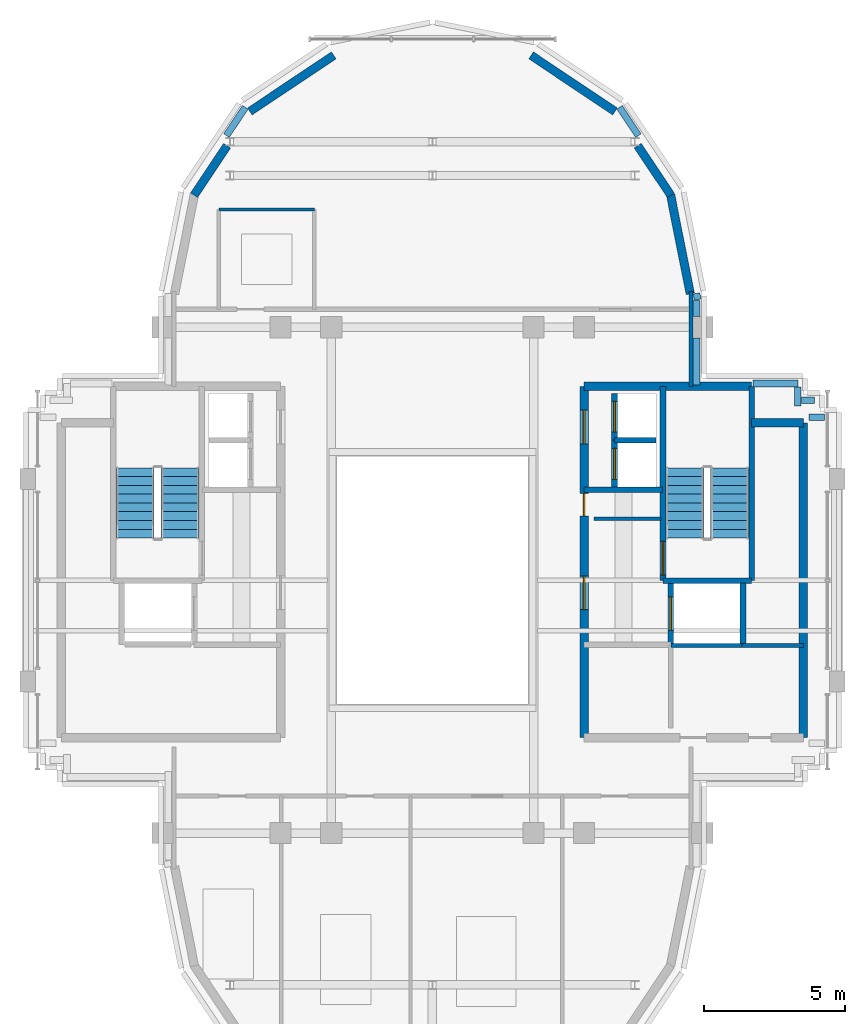
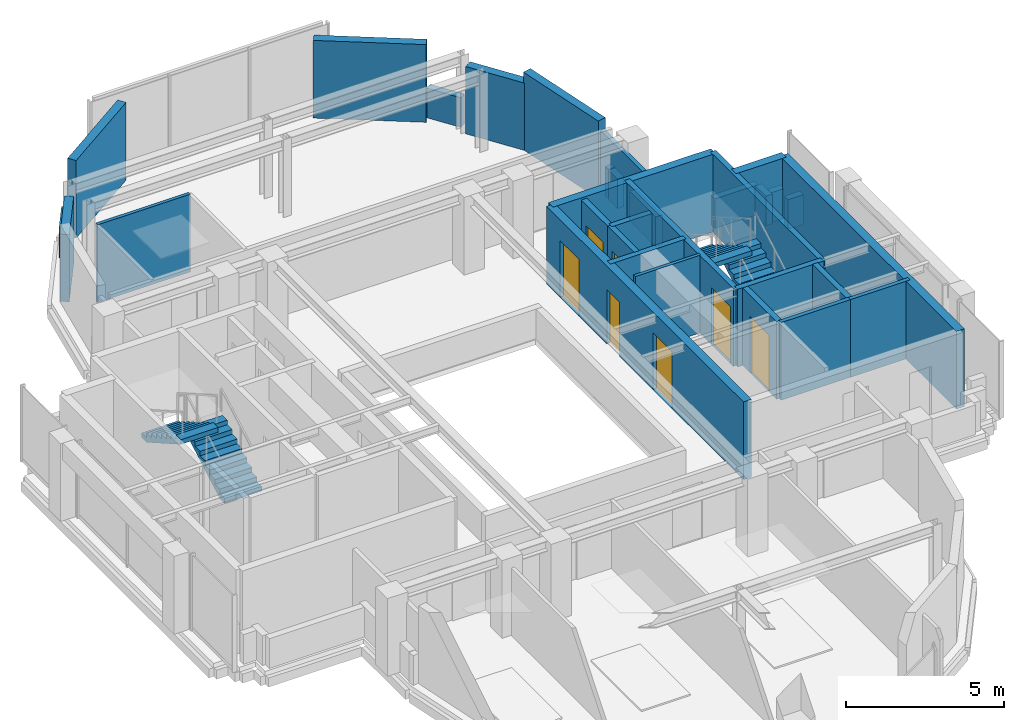
# One storey, part 8 of 10: 32 walls, 7 doors, 4 stair flights, 7 openings, 2 elements without a shape of their own.
"""IFC4 building model written with IfcOpenShell, lengths in metres."""

from ifc_helpers import new_model, si_unit, direction, frame, frame_2d, origin, place, context, subcontext, project, spatial, polyline, rectangle, outline, extrude, source, transform, mapped, material, layer, layer_set, type_object, element, fill, aggregate, save


model = new_model("IFC4")

# Units and contexts
model_context = context("Model", 3, precision=1e-05, world=origin(), true_north=direction((0.0, 1.0)))
body_context = subcontext(model_context, "Body", "Model", "MODEL_VIEW")
ifc_project = project(units=[si_unit("LENGTHUNIT", "METRE"), si_unit("AREAUNIT", "SQUARE_METRE"), si_unit("VOLUMEUNIT", "CUBIC_METRE"), si_unit("PLANEANGLEUNIT", "RADIAN"), si_unit("MASSUNIT", "GRAM", prefix="KILO")], contexts=[model_context])

# Site, building, storey
site_placement = place(None, origin())
site = spatial("IfcSite", under=ifc_project, at=site_placement, CompositionType="ELEMENT")
building_placement = place(site_placement, origin())
building = spatial("IfcBuilding", under=site, at=building_placement, Name="Keilestroom Media Tower", CompositionType="ELEMENT")
storey_placement = place(building_placement, frame((0.0, 0.0, 262.0)))
storey = spatial("IfcBuildingStorey", under=building, at=storey_placement, Name="L73", CompositionType="ELEMENT", Elevation=262.0)

# Walls
ifc_material_1 = material(Name="Precast concrete C40/50", Category="concrete")
ifc_layer_1 = layer(ifc_material_1, 0.300048828125)
ifc_layer_set_1 = layer_set([ifc_layer_1], Name="Precast concrete C40/50")
wall_type_1 = type_object("IfcWallType", Name="Exterior-Masonry-Spandrel-Wall-300", PredefinedType="SOLIDWALL", material=ifc_layer_set_1)
wall_1_placement = place(storey_placement, frame((9.1748046875, 10.185302734375, 0.0), z_axis=(0.0, 0.0, 1.0), x_axis=(-0.195114232679, 0.980780523974, 0.0)))
element("IfcWall", 1, at=wall_1_placement, inside=storey, type_object=wall_type_1, Name="L73 Lobe Facet Precast Frame Wall 01", PredefinedType="SOLIDWALL", context=body_context, shape_type="SweptSolid", body=[
    extrude(rectangle(XDim=3.608642578125, YDim=0.300048828125, at=frame_2d((1.80419921875, 0.0))), origin(), (0.0, 0.0, 1.0), 3.010009765625),
])
wall_2_placement = place(storey_placement, frame((8.48193359375, 13.697509765625, 0.0), z_axis=(0.0, 0.0, 1.0), x_axis=(-0.555604299396, 0.831446848868, 0.0)))
element("IfcWall", 2, at=wall_2_placement, inside=storey, type_object=wall_type_1, Name="L73 Lobe Facet Precast Frame Wall 02", PredefinedType="SOLIDWALL", context=body_context, shape_type="SweptSolid", body=[
    extrude(rectangle(XDim=2.117919921875, YDim=0.300048828125, at=frame_2d((1.05908203125, 0.0))), origin(), (0.0, 0.0, 1.0), 2.610107421875),
])
for number, where, z_axis, x_axis, name in (
    (3, (6.497802734375, 16.677001953125, 0.0), (0.0, 0.0, 1.0), (-0.831443568068, 0.555609208993, 0.0), "L73 Lobe Facet Precast Frame Wall 03"),
    (4, (-3.510009765625, 18.673583984375, 0.0), (0.0, 0.0, 1.0), (-0.831443568068, -0.555609208993, 0.0), "L73 Lobe Facet Precast Frame Wall 04"),
):
    element("IfcWall", number, at=place(storey_placement, frame(where, z_axis=z_axis, x_axis=x_axis)), inside=storey, type_object=wall_type_1, Name=name, PredefinedType="SOLIDWALL", context=body_context, shape_type="SweptSolid", body=[
        extrude(rectangle(XDim=3.593505859375, YDim=0.300048828125, at=frame_2d((1.796875, 0.0))), origin(), (0.0, 0.0, 1.0), 3.010009765625),
    ])
wall_3_placement = place(storey_placement, frame((-7.30517578125, 15.45849609375, 0.0), z_axis=(0.0, 0.0, 1.0), x_axis=(-0.555604299396, -0.831446848868, 0.0)))
element("IfcWall", 5, at=wall_3_placement, inside=storey, type_object=wall_type_1, Name="L73 Lobe Facet Precast Frame Wall 05", PredefinedType="SOLIDWALL", context=body_context, shape_type="SweptSolid", body=[
    extrude(rectangle(XDim=2.117919921875, YDim=0.300048828125, at=frame_2d((1.05908203125, 0.0))), origin(), (0.0, 0.0, 1.0), 2.610107421875),
])
ifc_material_2 = material(Name="Gypsum Plasterboard & Steel Stud", Category="steel")
ifc_layer_2 = layer(ifc_material_2, 0.1201171875)
ifc_layer_set_2 = layer_set([ifc_layer_2], Name="Gypsum Plasterboard & Steel Stud")
wall_type_2 = type_object("IfcWallType", Name="Interior-Partition-Wall-120", PredefinedType="PARTITIONING", material=ifc_layer_set_2)
wall_4_placement = place(storey_placement, frame((5.75, 2.179931640625, 0.0), z_axis=(0.0, 0.0, 1.0), x_axis=(1.0, 0.0, 0.0)))
element("IfcWall", 6, at=wall_4_placement, inside=storey, type_object=wall_type_2, Name="L73 Interior Wall WP-L73-CIE-S", PredefinedType="PARTITIONING", context=body_context, shape_type="SweptSolid", body=[
    extrude(rectangle(XDim=2.389892578125, YDim=0.1201171875, at=frame_2d((1.19482421875, 0.0))), origin(), (0.0, 0.0, 1.0), 3.010009765625),
])
wall_5_placement = place(storey_placement, frame((-7.60009765625, 13.18994140625, 0.0), z_axis=(0.0, 0.0, 1.0), x_axis=(1.0, 0.0, 0.0)))
element("IfcWall", 7, at=wall_5_placement, inside=storey, type_object=wall_type_2, Name="L73 Interior Wall WP-L73-NL-WC-N", PredefinedType="PARTITIONING", context=body_context, shape_type="SweptSolid", body=[
    extrude(rectangle(XDim=3.400146484375, YDim=0.1201171875, at=frame_2d((1.7001953125, 0.0))), origin(), (0.0, 0.0, 1.0), 3.010009765625),
])
ifc_layer_3 = layer(ifc_material_2, 0.14990234375)
ifc_layer_set_3 = layer_set([ifc_layer_3], Name="Gypsum Plasterboard & Steel Stud")
wall_type_3 = type_object("IfcWallType", Name="Interior-Partition-Wall-150", PredefinedType="PARTITIONING", material=ifc_layer_set_3)
wall_6_placement = place(storey_placement, frame((11.02001953125, -2.320068359375, 0.0), z_axis=(0.0, 0.0, 1.0), x_axis=(1.0, 0.0, 0.0)))
element("IfcWall", 8, at=wall_6_placement, inside=storey, type_object=wall_type_3, Name="L73 Interior Wall WP-L73-RECLE-N", PredefinedType="PARTITIONING", context=body_context, shape_type="SweptSolid", body=[
    extrude(rectangle(XDim=2.179931640625, YDim=0.14990234375, at=frame_2d((1.08984375, 0.0))), origin(), (0.0, 0.0, 1.0), 3.010009765625),
])
wall_7_placement = place(storey_placement, frame((8.47998046875, -2.320068359375, 0.0), z_axis=(0.0, 0.0, 1.0), x_axis=(1.0, 0.0, 0.0)))
element("IfcWall", 9, at=wall_7_placement, inside=storey, type_object=wall_type_3, Name="L73 Interior Wall WP-L73-RECME-N", PredefinedType="PARTITIONING", context=body_context, shape_type="SweptSolid", body=[
    extrude(rectangle(XDim=2.56005859375, YDim=0.14990234375, at=frame_2d((1.280029296875, 0.0))), origin(), (0.0, 0.0, 1.0), 3.010009765625),
])
wall_8_placement = place(storey_placement, frame((9.199951171875, 6.89990234375, 0.0), z_axis=(0.0, 0.0, 1.0), x_axis=(0.0, 1.0, 0.0)))
element("IfcWall", 10, at=wall_8_placement, inside=storey, type_object=wall_type_3, Name="L73 Interior Wall WP-L73-NL-CHKE", PredefinedType="PARTITIONING", context=body_context, shape_type="SweptSolid", body=[
    extrude(rectangle(XDim=3.380126953125, YDim=0.14990234375, at=frame_2d((1.68994140625, 0.0))), origin(), (0.0, 0.0, 1.0), 2.610107421875),
])
ifc_material_3 = material(Name="Concrete C50/60", Category="concrete")
ifc_layer_4 = layer(ifc_material_3, 0.300048828125)
ifc_layer_set_4 = layer_set([ifc_layer_4], Name="Concrete C50/60")
wall_type_4 = type_object("IfcWallType", Name="Reinforced-Concrete-Core-Shear-Wall-300", PredefinedType="SHEAR", material=ifc_layer_set_4)
wall_9_placement = place(storey_placement, frame((13.199951171875, -5.60009765625, 0.0), z_axis=(0.0, 0.0, 1.0), x_axis=(0.0, 1.0, 0.0)))
element("IfcWall", 11, at=wall_9_placement, inside=storey, type_object=wall_type_4, Name="L73 Core Shear Wall WL-L73-CORE-E-OUT", PredefinedType="SHEAR", context=body_context, shape_type="SweptSolid", body=[
    extrude(rectangle(XDim=11.2001953125, YDim=0.300048828125, at=frame_2d((5.60009765625, 0.0))), origin(), (0.0, 0.0, 1.0), 3.010009765625),
])

# Wall, openings, doors
wall_10_placement = place(storey_placement, frame((5.39990234375, -5.60009765625, 0.0), z_axis=(0.0, 0.0, 1.0), x_axis=(0.0, 1.0, 0.0)))
wall_10 = element("IfcWall", 12, at=wall_10_placement, inside=storey, type_object=wall_type_4, Name="L73 Core Shear Wall WL-L73-CORE-E-IN", PredefinedType="SHEAR", context=body_context, shape_type="SweptSolid", body=[
    extrude(rectangle(XDim=12.5, YDim=0.300048828125, at=frame_2d((6.25, 0.0))), origin(), (0.0, 0.0, 1.0), 3.010009765625),
])
opening_1_placement = place(wall_10_placement, frame((4.550048828125, 0.0, 0.0)))
opening_1 = element("IfcOpeningElement", 13, at=opening_1_placement, cuts=wall_10, Name="Opening DI-02", PredefinedType="OPENING", context=body_context, shape_type="SweptSolid", body=[
    extrude(rectangle(XDim=1.199951171875, YDim=2.199951171875, at=frame_2d((0.60009765625, 1.10009765625))), frame((0.0, 0.16015625, 0.0), z_axis=(0.0, -1.0, 0.0), x_axis=(1.0, 0.0, 0.0)), (0.0, 0.0, 1.0), 0.320068359375),
])
opening_2_placement = place(wall_10_placement, frame((10.449951171875, 0.0, 0.0)))
opening_2 = element("IfcOpeningElement", 14, at=opening_2_placement, cuts=wall_10, Name="Opening DI-02", PredefinedType="OPENING", context=body_context, shape_type="SweptSolid", body=[
    extrude(rectangle(XDim=1.199951171875, YDim=2.199951171875, at=frame_2d((0.60009765625, 1.10009765625))), frame((0.0, 0.16015625, 0.0), z_axis=(0.0, -1.0, 0.0), x_axis=(1.0, 0.0, 0.0)), (0.0, 0.0, 1.0), 0.320068359375),
])
opening_3_placement = place(wall_10_placement, frame((7.8798828125, 0.0, 0.0)))
opening_3 = element("IfcOpeningElement", 15, at=opening_3_placement, cuts=wall_10, Name="Opening DI-06", PredefinedType="OPENING", context=body_context, shape_type="SweptSolid", body=[
    extrude(rectangle(XDim=0.800048828125, YDim=2.10009765625, at=frame_2d((0.39990234375, 1.050048828125))), frame((0.0, 0.16015625, 0.0), z_axis=(0.0, -1.0, 0.0), x_axis=(1.0, 0.0, 0.0)), (0.0, 0.0, 1.0), 0.320068359375),
])
ifc_material_4 = material(Name="Powder-Coated Steel Fire Leaf", Category="steel")
door_type_1 = type_object("IfcDoorType", Name="Interior-Compartment-Fire-Door-DI-02", OperationType="NOTDEFINED", PredefinedType="DOOR", material=ifc_material_4)
shared_shape_1 = source(origin(), body_context, "Body", "SweptSolid", [
    extrude(rectangle(XDim=1.199951171875, YDim=2.199951171875, at=frame_2d((0.60009765625, 1.10009765625))), frame((0.0, 0.02490234375, 0.0), z_axis=(0.0, -1.0, 0.0), x_axis=(1.0, 0.0, 0.0)), (0.0, 0.0, 1.0), 0.050048828125),
])
door_1_placement = place(opening_1_placement, origin())
door_1 = element("IfcDoor", 16, at=door_1_placement, inside=storey, type_object=door_type_1, Name="L73 E Firefighting Lobby Door", OperationType="SINGLE_SWING_LEFT", OverallHeight=2.199951171875, OverallWidth=1.199951171875, PredefinedType="DOOR", context=body_context, shape_type="MappedRepresentation", body=[
    mapped(shared_shape_1, transform((0.0, 0.0, 0.0), x_axis=(1.0, 0.0, 0.0), y_axis=(0.0, 1.0, 0.0), z_axis=(0.0, 0.0, 1.0), scale=1.0)),
])
fill(opening_1, door_1)
door_2_placement = place(opening_2_placement, origin())
door_2 = element("IfcDoor", 17, at=door_2_placement, inside=storey, type_object=door_type_1, Name="L73 E High-Rise Lift Lobby Door", OperationType="SINGLE_SWING_RIGHT", OverallHeight=2.199951171875, OverallWidth=1.199951171875, PredefinedType="DOOR", context=body_context, shape_type="MappedRepresentation", body=[
    mapped(shared_shape_1, transform((0.0, 0.0, 0.0), x_axis=(1.0, 0.0, 0.0), y_axis=(0.0, 1.0, 0.0), z_axis=(0.0, 0.0, 1.0), scale=1.0)),
])
fill(opening_2, door_2)
ifc_material_5 = material(Name="Powder-Coated Steel Service Leaf", Category="steel")
door_type_2 = type_object("IfcDoorType", Name="Interior-Riser-Access-Door-DI-06", OperationType="NOTDEFINED", PredefinedType="DOOR", material=ifc_material_5)
shared_shape_2 = source(origin(), body_context, "Body", "SweptSolid", [
    extrude(rectangle(XDim=0.800048828125, YDim=2.10009765625, at=frame_2d((0.39990234375, 1.050048828125))), frame((0.0, 0.02490234375, 0.0), z_axis=(0.0, -1.0, 0.0), x_axis=(1.0, 0.0, 0.0)), (0.0, 0.0, 1.0), 0.050048828125),
])
door_3_placement = place(opening_3_placement, origin())
door_3 = element("IfcDoor", 18, at=door_3_placement, inside=storey, type_object=door_type_2, Name="L73 East Core Closet Door", OperationType="SINGLE_SWING_RIGHT", OverallHeight=2.10009765625, OverallWidth=0.800048828125, PredefinedType="DOOR", context=body_context, shape_type="MappedRepresentation", body=[
    mapped(shared_shape_2, transform((0.0, 0.0, 0.0), x_axis=(1.0, 0.0, 0.0), y_axis=(0.0, 1.0, 0.0), z_axis=(0.0, 0.0, 1.0), scale=1.0)),
])
fill(opening_3, door_3)

# Walls
wall_11_placement = place(storey_placement, frame((5.39990234375, 6.89990234375, 0.0), z_axis=(0.0, 0.0, 1.0), x_axis=(1.0, 0.0, 0.0)))
element("IfcWall", 19, at=wall_11_placement, inside=storey, type_object=wall_type_4, Name="L73 Core Shear Wall WL-L73-CORE-E-N", PredefinedType="SHEAR", context=body_context, shape_type="SweptSolid", body=[
    extrude(rectangle(XDim=5.9560546875, YDim=0.300048828125, at=frame_2d((2.97802734375, 0.0))), origin(), (0.0, 0.0, 1.0), 3.010009765625),
])
wall_12_placement = place(storey_placement, frame((11.35595703125, 5.60009765625, 0.0), z_axis=(0.0, 0.0, 1.0), x_axis=(1.0, 0.0, 0.0)))
element("IfcWall", 20, at=wall_12_placement, inside=storey, type_object=wall_type_4, Name="L73 Core Shear Wall WL-L73-CNE-N", PredefinedType="SHEAR", context=body_context, shape_type="SweptSolid", body=[
    extrude(rectangle(XDim=1.843994140625, YDim=0.300048828125, at=frame_2d((0.921875, 0.0))), origin(), (0.0, 0.0, 1.0), 3.010009765625),
])
ifc_layer_5 = layer(ifc_material_3, 0.199951171875)
ifc_layer_set_5 = layer_set([ifc_layer_5], Name="Concrete C50/60")
wall_type_5 = type_object("IfcWallType", Name="Reinforced-Concrete-Shaft-Wall-200", PredefinedType="SOLIDWALL", material=ifc_layer_set_5)
wall_13_placement = place(storey_placement, frame((5.39990234375, 3.219970703125, 0.0), z_axis=(0.0, 0.0, 1.0), x_axis=(1.0, 0.0, 0.0)))
element("IfcWall", 21, at=wall_13_placement, inside=storey, type_object=wall_type_5, Name="L73 Core Shear Wall WL-L73-CORE-E-FFN", PredefinedType="SOLIDWALL", context=body_context, shape_type="SweptSolid", body=[
    extrude(rectangle(XDim=2.780029296875, YDim=0.199951171875, at=frame_2d((1.39013671875, 0.0))), origin(), (0.0, 0.0, 1.0), 3.010009765625),
])

# Wall, opening, door
wall_14_placement = place(storey_placement, frame((8.2041015625, -0.01611328125, 0.0), z_axis=(0.0, 0.0, 1.0), x_axis=(0.0, 1.0, 0.0)))
wall_14 = element("IfcWall", 22, at=wall_14_placement, inside=storey, type_object=wall_type_5, Name="L73 Core Shear Wall WL-L73-STW-E-NEAR", PredefinedType="SOLIDWALL", context=body_context, shape_type="SweptSolid", body=[
    extrude(rectangle(XDim=6.916015625, YDim=0.199951171875, at=frame_2d((3.4580078125, 0.0))), origin(), (0.0, 0.0, 1.0), 3.010009765625),
])
opening_4_placement = place(wall_14_placement, frame((0.199951171875, 0.0, 0.0)))
opening_4 = element("IfcOpeningElement", 23, at=opening_4_placement, cuts=wall_14, Name="Opening DI-01S", PredefinedType="OPENING", context=body_context, shape_type="SweptSolid", body=[
    extrude(rectangle(XDim=1.199951171875, YDim=2.199951171875, at=frame_2d((0.60009765625, 1.10009765625))), frame((0.0, 0.10986328125, 0.0), z_axis=(0.0, -1.0, 0.0), x_axis=(1.0, 0.0, 0.0)), (0.0, 0.0, 1.0), 0.219970703125),
])
door_type_3 = type_object("IfcDoorType", Name="Interior-Stair-And-Core-Fire-Door-DI-01", OperationType="NOTDEFINED", PredefinedType="DOOR", material=ifc_material_4)
door_4_placement = place(opening_4_placement, origin())
door_4 = element("IfcDoor", 24, at=door_4_placement, inside=storey, type_object=door_type_3, Name="L73 Escape Stair ST-2 Fire Door", OperationType="SINGLE_SWING_RIGHT", OverallHeight=2.199951171875, OverallWidth=1.199951171875, PredefinedType="DOOR", context=body_context, shape_type="MappedRepresentation", body=[
    mapped(shared_shape_1, transform((0.0, 0.0, 0.0), x_axis=(1.0, 0.0, 0.0), y_axis=(0.0, 1.0, 0.0), z_axis=(0.0, 0.0, 1.0), scale=1.0)),
])
fill(opening_4, door_4)

# Walls
wall_15_placement = place(storey_placement, frame((11.35595703125, -0.01611328125, 0.0), z_axis=(0.0, 0.0, 1.0), x_axis=(0.0, 1.0, 0.0)))
element("IfcWall", 25, at=wall_15_placement, inside=storey, type_object=wall_type_5, Name="L73 Core Shear Wall WL-L73-STW-E-FAR", PredefinedType="SOLIDWALL", context=body_context, shape_type="SweptSolid", body=[
    extrude(rectangle(XDim=6.916015625, YDim=0.199951171875, at=frame_2d((3.4580078125, 0.0))), origin(), (0.0, 0.0, 1.0), 3.010009765625),
])
wall_16_placement = place(storey_placement, frame((8.2041015625, -0.01611328125, 0.0), z_axis=(0.0, 0.0, 1.0), x_axis=(1.0, 0.0, 0.0)))
element("IfcWall", 26, at=wall_16_placement, inside=storey, type_object=wall_type_5, Name="L73 Core Shear Wall WL-L73-STW-E-S", PredefinedType="SOLIDWALL", context=body_context, shape_type="SweptSolid", body=[
    extrude(rectangle(XDim=3.15185546875, YDim=0.199951171875, at=frame_2d((1.575927734375, 0.0))), origin(), (0.0, 0.0, 1.0), 3.010009765625),
])

# Wall, opening, door
wall_17_placement = place(storey_placement, frame((8.47998046875, -2.280029296875, 0.0), z_axis=(0.0, 0.0, 1.0), x_axis=(0.0, 1.0, 0.0)))
wall_17 = element("IfcWall", 27, at=wall_17_placement, inside=storey, type_object=wall_type_5, Name="L73 Core Shear Wall WL-L73-LSH-FFL-2-W", PredefinedType="SOLIDWALL", context=body_context, shape_type="SweptSolid", body=[
    extrude(rectangle(XDim=2.179931640625, YDim=0.199951171875, at=frame_2d((1.08984375, 0.0))), origin(), (0.0, 0.0, 1.0), 3.010009765625),
])
opening_5_placement = place(wall_17_placement, frame((0.489990234375, 0.0, 0.0)))
opening_5 = element("IfcOpeningElement", 28, at=opening_5_placement, cuts=wall_17, Name="Opening LD-02", PredefinedType="OPENING", context=body_context, shape_type="SweptSolid", body=[
    extrude(rectangle(XDim=1.199951171875, YDim=2.199951171875, at=frame_2d((0.60009765625, 1.10009765625))), frame((0.0, 0.10986328125, 0.0), z_axis=(0.0, -1.0, 0.0), x_axis=(1.0, 0.0, 0.0)), (0.0, 0.0, 1.0), 0.219970703125),
])
ifc_material_6 = material(Name="Brushed Stainless Steel Sliding Leaf", Category="steel")
door_type_4 = type_object("IfcDoorType", Name="Lift-Landing-Sliding-Door-LD-02", OperationType="SLIDING_TO_RIGHT", PredefinedType="DOOR", material=ifc_material_6)
door_5_placement = place(opening_5_placement, origin())
door_5 = element("IfcDoor", 29, at=door_5_placement, inside=storey, type_object=door_type_4, Name="L73 Lift FFL-2 Landing Sliding Door", OperationType="SLIDING_TO_RIGHT", OverallHeight=2.199951171875, OverallWidth=1.199951171875, PredefinedType="DOOR", context=body_context, shape_type="MappedRepresentation", body=[
    mapped(shared_shape_1, transform((0.0, 0.0, 0.0), x_axis=(1.0, 0.0, 0.0), y_axis=(0.0, 1.0, 0.0), z_axis=(0.0, 0.0, 1.0), scale=1.0)),
])
fill(opening_5, door_5)

# Wall
wall_18_placement = place(storey_placement, frame((11.050048828125, -2.280029296875, 0.0), z_axis=(0.0, 0.0, 1.0), x_axis=(0.0, 1.0, 0.0)))
element("IfcWall", 30, at=wall_18_placement, inside=storey, type_object=wall_type_5, Name="L73 Core Shear Wall WL-L73-LSH-FFL-2-E", PredefinedType="SOLIDWALL", context=body_context, shape_type="SweptSolid", body=[
    extrude(rectangle(XDim=2.179931640625, YDim=0.199951171875, at=frame_2d((1.08984375, 0.0))), origin(), (0.0, 0.0, 1.0), 3.010009765625),
])

# Wall, opening, door
wall_19_placement = place(storey_placement, frame((6.47998046875, 3.300048828125, 0.0), z_axis=(0.0, 0.0, 1.0), x_axis=(0.0, 1.0, 0.0)))
wall_19 = element("IfcWall", 31, at=wall_19_placement, inside=storey, type_object=wall_type_5, Name="L73 Core Shear Wall WL-L73-LSH-PL-H3-W", PredefinedType="SOLIDWALL", context=body_context, shape_type="SweptSolid", body=[
    extrude(rectangle(XDim=1.679931640625, YDim=0.199951171875, at=frame_2d((0.83984375, 0.0))), origin(), (0.0, 0.0, 1.0), 3.010009765625),
])
opening_6_placement = place(wall_19_placement, frame((0.2900390625, 0.0, 0.0)))
opening_6 = element("IfcOpeningElement", 32, at=opening_6_placement, cuts=wall_19, Name="Opening LD-01", PredefinedType="OPENING", context=body_context, shape_type="SweptSolid", body=[
    extrude(rectangle(XDim=1.10009765625, YDim=2.199951171875, at=frame_2d((0.550048828125, 1.10009765625))), frame((0.0, 0.10986328125, 0.0), z_axis=(0.0, -1.0, 0.0), x_axis=(1.0, 0.0, 0.0)), (0.0, 0.0, 1.0), 0.219970703125),
])
door_type_5 = type_object("IfcDoorType", Name="Lift-Landing-Sliding-Door-LD-01", OperationType="SLIDING_TO_LEFT", PredefinedType="DOOR", material=ifc_material_6)
shared_shape_3 = source(origin(), body_context, "Body", "SweptSolid", [
    extrude(rectangle(XDim=1.10009765625, YDim=2.199951171875, at=frame_2d((0.550048828125, 1.10009765625))), frame((0.0, 0.02490234375, 0.0), z_axis=(0.0, -1.0, 0.0), x_axis=(1.0, 0.0, 0.0)), (0.0, 0.0, 1.0), 0.050048828125),
])
door_6_placement = place(opening_6_placement, origin())
door_6 = element("IfcDoor", 33, at=door_6_placement, inside=storey, type_object=door_type_5, Name="L73 Lift PL-H3 Landing Sliding Door", OperationType="SLIDING_TO_LEFT", OverallHeight=2.199951171875, OverallWidth=1.10009765625, PredefinedType="DOOR", context=body_context, shape_type="MappedRepresentation", body=[
    mapped(shared_shape_3, transform((0.0, 0.0, 0.0), x_axis=(1.0, 0.0, 0.0), y_axis=(0.0, 1.0, 0.0), z_axis=(0.0, 0.0, 1.0), scale=1.0)),
])
fill(opening_6, door_6)

# Wall
wall_20_placement = place(storey_placement, frame((6.47998046875, 4.97998046875, 0.0), z_axis=(0.0, 0.0, 1.0), x_axis=(1.0, 0.0, 0.0)))
element("IfcWall", 34, at=wall_20_placement, inside=storey, type_object=wall_type_5, Name="L73 Core Shear Wall WL-L73-LSH-PL-H3-N", PredefinedType="SOLIDWALL", context=body_context, shape_type="SweptSolid", body=[
    extrude(rectangle(XDim=1.469970703125, YDim=0.199951171875, at=frame_2d((0.73486328125, 0.0))), origin(), (0.0, 0.0, 1.0), 3.010009765625),
])

# Wall, opening, door
wall_21_placement = place(storey_placement, frame((6.47998046875, 4.97998046875, 0.0), z_axis=(0.0, 0.0, 1.0), x_axis=(0.0, 1.0, 0.0)))
wall_21 = element("IfcWall", 35, at=wall_21_placement, inside=storey, type_object=wall_type_5, Name="L73 Core Shear Wall WL-L73-LSH-PL-H4-W", PredefinedType="SOLIDWALL", context=body_context, shape_type="SweptSolid", body=[
    extrude(rectangle(XDim=1.669921875, YDim=0.199951171875, at=frame_2d((0.8349609375, 0.0))), origin(), (0.0, 0.0, 1.0), 3.010009765625),
])
opening_7_placement = place(wall_21_placement, frame((0.284912109375, 0.0, 0.0)))
opening_7 = element("IfcOpeningElement", 36, at=opening_7_placement, cuts=wall_21, Name="Opening LD-01", PredefinedType="OPENING", context=body_context, shape_type="SweptSolid", body=[
    extrude(rectangle(XDim=1.10009765625, YDim=2.199951171875, at=frame_2d((0.550048828125, 1.10009765625))), frame((0.0, 0.10986328125, 0.0), z_axis=(0.0, -1.0, 0.0), x_axis=(1.0, 0.0, 0.0)), (0.0, 0.0, 1.0), 0.219970703125),
])
door_7_placement = place(opening_7_placement, origin())
door_7 = element("IfcDoor", 37, at=door_7_placement, inside=storey, type_object=door_type_5, Name="L73 Lift PL-H4 Landing Sliding Door", OperationType="SLIDING_TO_LEFT", OverallHeight=2.199951171875, OverallWidth=1.10009765625, PredefinedType="DOOR", context=body_context, shape_type="MappedRepresentation", body=[
    mapped(shared_shape_3, transform((0.0, 0.0, 0.0), x_axis=(1.0, 0.0, 0.0), y_axis=(0.0, 1.0, 0.0), z_axis=(0.0, 0.0, 1.0), scale=1.0)),
])
fill(opening_7, door_7)

# Walls
ifc_layer_6 = layer(ifc_material_1, 0.239990234375)
ifc_layer_set_6 = layer_set([ifc_layer_6], Name="Precast concrete C40/50")
wall_type_6 = type_object("IfcWallType", Name="Roof-And-Terrace-Parapet-Wall-240", PredefinedType="PARAPET", material=ifc_layer_set_6)
for number, where, z_axis, x_axis, name in (
    (38, (-7.328125, 15.8203125, 0.0), (0.0, 0.0, 1.0), (0.555585388542, 0.831459485506, 0.0), "L73 Perimeter Edge Parapet Wall 20"),
    (39, (6.656494140625, 16.825439453125, 0.0), (0.0, 0.0, 1.0), (0.555585388542, -0.831459485506, 0.0), "L73 Perimeter Edge Parapet Wall 21"),
):
    element("IfcWall", number, at=place(storey_placement, frame(where, z_axis=z_axis, x_axis=x_axis)), inside=storey, type_object=wall_type_6, Name=name, PredefinedType="PARAPET", context=body_context, shape_type="SweptSolid", body=[
        extrude(rectangle(XDim=1.208984375, YDim=0.239990234375, at=frame_2d((0.6044921875, 0.0))), origin(), (0.0, 0.0, 1.0), 1.14990234375),
    ])
wall_22_placement = place(storey_placement, frame((9.395263671875, 10.2041015625, 0.0), z_axis=(0.0, 0.0, 1.0), x_axis=(0.194859894132, -0.980831087221, 0.0)))
element("IfcWall", 40, at=wall_22_placement, inside=storey, type_object=wall_type_6, Name="L73 Perimeter Edge Parapet Wall 22", PredefinedType="PARAPET", context=body_context, shape_type="SweptSolid", body=[
    extrude(rectangle(XDim=0.224365234375, YDim=0.239990234375, at=frame_2d((0.1123046875, 0.0))), origin(), (0.0, 0.0, 1.0), 1.14990234375),
])
wall_23_placement = place(storey_placement, frame((9.39990234375, 9.957763671875, 0.0), z_axis=(0.0, 0.0, 1.0), x_axis=(0.0, -1.0, 0.0)))
element("IfcWall", 41, at=wall_23_placement, inside=storey, type_object=wall_type_6, Name="L73 Perimeter Edge Parapet Wall 23", PredefinedType="PARAPET", context=body_context, shape_type="SweptSolid", body=[
    extrude(rectangle(XDim=0.579833984375, YDim=0.239990234375, at=frame_2d((0.2900390625, 0.0))), origin(), (0.0, 0.0, 1.0), 1.14990234375),
])
wall_24_placement = place(storey_placement, frame((9.39990234375, 8.6220703125, 0.0), z_axis=(0.0, 0.0, 1.0), x_axis=(0.0, -1.0, 0.0)))
element("IfcWall", 42, at=wall_24_placement, inside=storey, type_object=wall_type_6, Name="L73 Perimeter Edge Parapet Wall 24", PredefinedType="PARAPET", context=body_context, shape_type="SweptSolid", body=[
    extrude(rectangle(XDim=1.669189453125, YDim=0.239990234375, at=frame_2d((0.83447265625, 0.0))), origin(), (0.0, 0.0, 1.0), 1.14990234375),
])
wall_25_placement = place(storey_placement, frame((11.403076171875, 7.0, 0.0), z_axis=(0.0, 0.0, 1.0), x_axis=(1.0, 0.0, 0.0)))
element("IfcWall", 43, at=wall_25_placement, inside=storey, type_object=wall_type_6, Name="L73 Perimeter Edge Parapet Wall 25", PredefinedType="PARAPET", context=body_context, shape_type="SweptSolid", body=[
    extrude(rectangle(XDim=1.596923828125, YDim=0.239990234375, at=frame_2d((0.79833984375, 0.0))), origin(), (0.0, 0.0, 1.0), 1.14990234375),
])
wall_26_placement = place(storey_placement, frame((13.0, 6.876953125, 0.0), z_axis=(0.0, 0.0, 1.0), x_axis=(0.0, -1.0, 0.0)))
element("IfcWall", 44, at=wall_26_placement, inside=storey, type_object=wall_type_6, Name="L73 Perimeter Edge Parapet Wall 26", PredefinedType="PARAPET", context=body_context, shape_type="SweptSolid", body=[
    extrude(rectangle(XDim=0.677001953125, YDim=0.239990234375, at=frame_2d((0.33837890625, 0.0))), origin(), (0.0, 0.0, 1.0), 1.14990234375),
])
wall_27_placement = place(storey_placement, frame((13.123046875, 6.39990234375, 0.0), z_axis=(0.0, 0.0, 1.0), x_axis=(1.0, 0.0, 0.0)))
element("IfcWall", 45, at=wall_27_placement, inside=storey, type_object=wall_type_6, Name="L73 Perimeter Edge Parapet Wall 27", PredefinedType="PARAPET", context=body_context, shape_type="SweptSolid", body=[
    extrude(rectangle(XDim=0.47705078125, YDim=0.239990234375, at=frame_2d((0.238525390625, 0.0))), origin(), (0.0, 0.0, 1.0), 1.14990234375),
])
wall_28_placement = place(storey_placement, frame((13.39990234375, 5.800048828125, 0.0), z_axis=(0.0, 0.0, 1.0), x_axis=(1.0, 0.0, 0.0)))
element("IfcWall", 46, at=wall_28_placement, inside=storey, type_object=wall_type_6, Name="L73 Perimeter Edge Parapet Wall 28", PredefinedType="PARAPET", context=body_context, shape_type="SweptSolid", body=[
    extrude(rectangle(XDim=0.55712890625, YDim=0.239990234375, at=frame_2d((0.278564453125, 0.0))), origin(), (0.0, 0.0, 1.0), 1.14990234375),
])

# Stair, stair flights
ifc_material_7 = material(Name="Concrete C45/55", Category="concrete")
stair_type = type_object("IfcStairType", Name="Enclosed-Dog-Leg-Stair-ST-CORE", PredefinedType="HALF_TURN_STAIR", material=ifc_material_7)
stair_1_placement = place(storey_placement, origin())
stair_1 = element("IfcStair", 47, at=stair_1_placement, inside=storey, type_object=stair_type, Name="L73 West Core Escape Stair ST-1", PredefinedType="HALF_TURN_STAIR")
stair_flight_type = type_object("IfcStairFlightType", Name="Precast-Concrete-Stair-Flight-Core-160", PredefinedType="STRAIGHT", material=ifc_material_1)
stair_flight_1_placement = place(storey_placement, frame((-8.97998046875, 1.5, 0.0), z_axis=(0.0, 0.0, 1.0), x_axis=(0.0, 1.0, 0.0)))
stair_flight_1 = element("IfcStairFlight", 48, at=stair_flight_1_placement, type_object=stair_flight_type, Name="ST-1 flight 1", NumberOfRisers=9, NumberOfTreads=8, PredefinedType="STRAIGHT", RiserHeight=0.177777778, TreadLength=0.312, context=body_context, shape_type="SweptSolid", body=[
    extrude(outline(polyline([(0.0, 0.0), (0.0, 0.177734375), (0.31201171875, 0.177734375), (0.31201171875, 0.35546875), (0.6240234375, 0.35546875), (0.6240234375, 0.533447265625), (0.93603515625, 0.533447265625), (0.93603515625, 0.711181640625), (1.248046875, 0.711181640625), (1.248046875, 0.888916015625), (1.56005859375, 0.888916015625), (1.56005859375, 1.066650390625), (1.8720703125, 1.066650390625), (1.8720703125, 1.244384765625), (2.18408203125, 1.244384765625), (2.18408203125, 1.422119140625), (2.49609375, 1.422119140625), (2.49609375, 1.60009765625), (2.49609375, 1.23828125), (0.322998046875, 0.0), (0.0, 0.0)])), frame((0.0, 0.68017578125, 0.0), z_axis=(0.0, -1.0, 0.0), x_axis=(1.0, 0.0, 0.0)), (0.0, 0.0, 1.0), 1.360107421875),
])
stair_flight_2_placement = place(storey_placement, frame((-10.580078125, 3.99609375, 1.60009765625), z_axis=(0.0, 0.0, 1.0), x_axis=(0.0, -1.0, 0.0)))
stair_flight_2 = element("IfcStairFlight", 49, at=stair_flight_2_placement, type_object=stair_flight_type, Name="ST-1 flight 2", NumberOfRisers=9, NumberOfTreads=8, PredefinedType="STRAIGHT", RiserHeight=0.177777778, TreadLength=0.312, context=body_context, shape_type="SweptSolid", body=[
    extrude(outline(polyline([(0.0, 0.0), (0.0, 0.177734375), (0.31201171875, 0.177734375), (0.31201171875, 0.35546875), (0.6240234375, 0.35546875), (0.6240234375, 0.533447265625), (0.93603515625, 0.533447265625), (0.93603515625, 0.711181640625), (1.248046875, 0.711181640625), (1.248046875, 0.888916015625), (1.56005859375, 0.888916015625), (1.56005859375, 1.066650390625), (1.8720703125, 1.066650390625), (1.8720703125, 1.244384765625), (2.18408203125, 1.244384765625), (2.18408203125, 1.422119140625), (2.49609375, 1.422119140625), (2.49609375, 1.60009765625), (2.49609375, 1.23828125), (0.322998046875, 0.0), (0.0, 0.0)])), frame((0.0, 0.68017578125, 0.0), z_axis=(0.0, -1.0, 0.0), x_axis=(1.0, 0.0, 0.0)), (0.0, 0.0, 1.0), 1.360107421875),
])
aggregate(stair_1, [stair_flight_1, stair_flight_2])

stair_2_placement = place(storey_placement, origin())
stair_2 = element("IfcStair", 50, at=stair_2_placement, inside=storey, type_object=stair_type, Name="L73 East Core Escape Stair ST-2", PredefinedType="HALF_TURN_STAIR")
stair_flight_3_placement = place(storey_placement, frame((10.580078125, 1.5, 0.0), z_axis=(0.0, 0.0, 1.0), x_axis=(0.0, 1.0, 0.0)))
stair_flight_3 = element("IfcStairFlight", 51, at=stair_flight_3_placement, type_object=stair_flight_type, Name="ST-2 flight 1", NumberOfRisers=9, NumberOfTreads=8, PredefinedType="STRAIGHT", RiserHeight=0.177777778, TreadLength=0.312, context=body_context, shape_type="SweptSolid", body=[
    extrude(outline(polyline([(0.0, 0.0), (0.0, 0.177734375), (0.31201171875, 0.177734375), (0.31201171875, 0.35546875), (0.6240234375, 0.35546875), (0.6240234375, 0.533447265625), (0.93603515625, 0.533447265625), (0.93603515625, 0.711181640625), (1.248046875, 0.711181640625), (1.248046875, 0.888916015625), (1.56005859375, 0.888916015625), (1.56005859375, 1.066650390625), (1.8720703125, 1.066650390625), (1.8720703125, 1.244384765625), (2.18408203125, 1.244384765625), (2.18408203125, 1.422119140625), (2.49609375, 1.422119140625), (2.49609375, 1.60009765625), (2.49609375, 1.23828125), (0.322998046875, 0.0), (0.0, 0.0)])), frame((0.0, 0.68017578125, 0.0), z_axis=(0.0, -1.0, 0.0), x_axis=(1.0, 0.0, 0.0)), (0.0, 0.0, 1.0), 1.360107421875),
])
stair_flight_4_placement = place(storey_placement, frame((8.97998046875, 3.99609375, 1.60009765625), z_axis=(0.0, 0.0, 1.0), x_axis=(0.0, -1.0, 0.0)))
stair_flight_4 = element("IfcStairFlight", 52, at=stair_flight_4_placement, type_object=stair_flight_type, Name="ST-2 flight 2", NumberOfRisers=9, NumberOfTreads=8, PredefinedType="STRAIGHT", RiserHeight=0.177777778, TreadLength=0.312, context=body_context, shape_type="SweptSolid", body=[
    extrude(outline(polyline([(0.0, 0.0), (0.0, 0.177734375), (0.31201171875, 0.177734375), (0.31201171875, 0.35546875), (0.6240234375, 0.35546875), (0.6240234375, 0.533447265625), (0.93603515625, 0.533447265625), (0.93603515625, 0.711181640625), (1.248046875, 0.711181640625), (1.248046875, 0.888916015625), (1.56005859375, 0.888916015625), (1.56005859375, 1.066650390625), (1.8720703125, 1.066650390625), (1.8720703125, 1.244384765625), (2.18408203125, 1.244384765625), (2.18408203125, 1.422119140625), (2.49609375, 1.422119140625), (2.49609375, 1.60009765625), (2.49609375, 1.23828125), (0.322998046875, 0.0), (0.0, 0.0)])), frame((0.0, 0.68017578125, 0.0), z_axis=(0.0, -1.0, 0.0), x_axis=(1.0, 0.0, 0.0)), (0.0, 0.0, 1.0), 1.360107421875),
])
aggregate(stair_2, [stair_flight_3, stair_flight_4])

save(model, "model.ifc")
